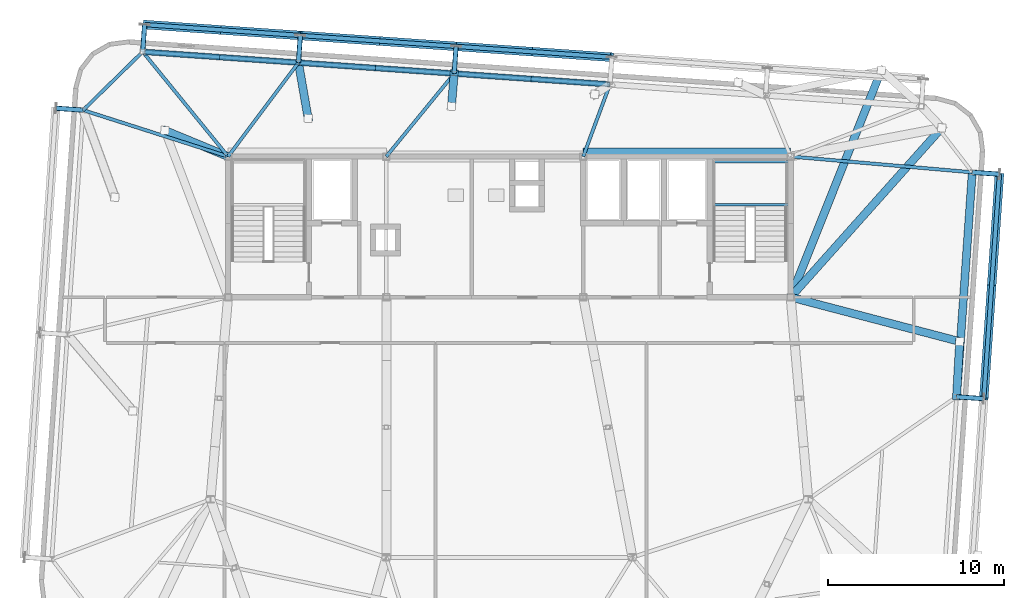
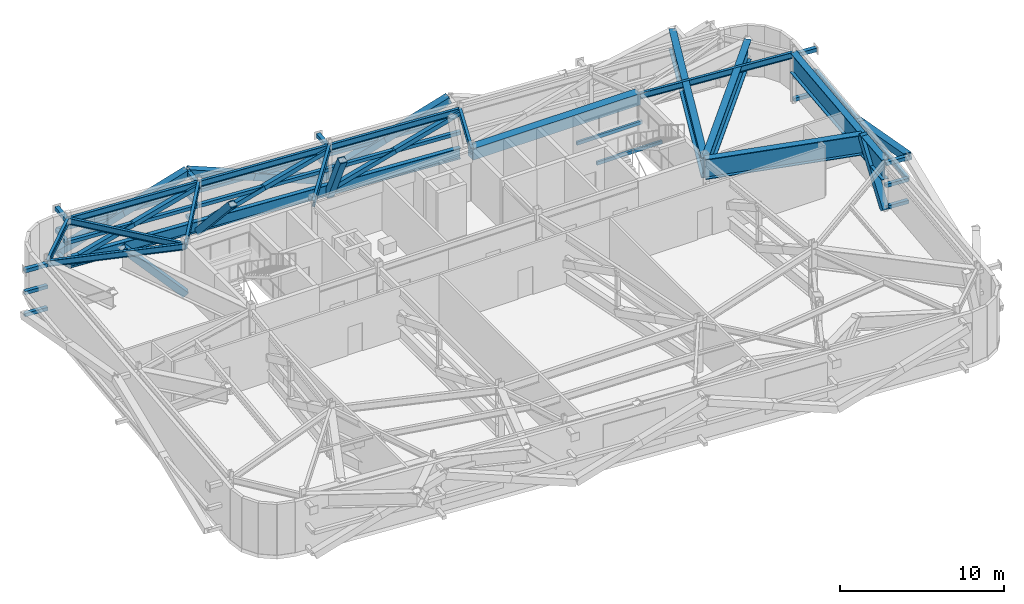
# One storey, part 11 of 24: 46 members, 17 beams.
"""IFC4 building model written with IfcOpenShell, lengths in metres."""

from ifc_helpers import new_model, si_unit, direction, frame, origin, origin_2d, place, context, subcontext, project, spatial, rectangle, hollow_rectangle, i_section, extrude, source, transform, mapped, material, material_profile, profile_set, type_object, element, save


model = new_model("IFC4")

# Units and contexts
model_context = context("Model", 3, precision=1e-05, world=origin(), true_north=direction((0.0, 1.0)))
body_context = subcontext(model_context, "Body", "Model", "MODEL_VIEW")
ifc_project = project(units=[si_unit("LENGTHUNIT", "METRE"), si_unit("AREAUNIT", "SQUARE_METRE"), si_unit("VOLUMEUNIT", "CUBIC_METRE"), si_unit("PLANEANGLEUNIT", "RADIAN"), si_unit("MASSUNIT", "GRAM", prefix="KILO")], contexts=[model_context])

# Site, building, storey
site_placement = place(None, origin())
site = spatial("IfcSite", under=ifc_project, at=site_placement, CompositionType="ELEMENT")
building_placement = place(site_placement, origin())
building = spatial("IfcBuilding", under=site, at=building_placement, Name="Taldren Reach Tower", CompositionType="ELEMENT")
storey_placement = place(building_placement, frame((0.0, 0.0, 164.5)))
storey = spatial("IfcBuildingStorey", under=building, at=storey_placement, Name="L50", CompositionType="ELEMENT", Elevation=164.5)

# Beam
ifc_material_1 = material(Name="Concrete S80 (80 MPa)", Category="concrete")
ifc_material_profile_1 = material_profile(ifc_material_1, rectangle(XDim=0.60009765625, YDim=0.85009765625, at=origin_2d()), Name="RC-CB600x850")
ifc_profile_set_1 = profile_set([ifc_material_profile_1], Name="Concrete S80 (80 MPa)")
beam_type_1 = type_object("IfcBeamType", Name="BM-RCCB850", PredefinedType="BEAM", material=ifc_profile_set_1)
shared_shape_1 = source(origin(), body_context, "Body", "SweptSolid", [
    extrude(rectangle(XDim=0.60009765625, YDim=0.85009765625, at=origin_2d()), origin(), (0.0, 0.0, 1.0), 11.800048828125),
])
beam_1_placement = place(storey_placement, frame((39.199951171875, 32.179931640625, 3.35498046875), z_axis=(1.0, 0.0, 0.0), x_axis=(0.0, 1.0, 0.0)))
element("IfcBeam", 1, at=beam_1_placement, inside=storey, type_object=beam_type_1, Name="Core-spine girder L50-SP06", PredefinedType="BEAM", context=body_context, shape_type="MappedRepresentation", body=[
    mapped(shared_shape_1, transform((0.0, 0.0, 0.0), scale=1.0)),
])

# Members
ifc_material_2 = material(Name="Steel Gr 450 (C450L0)", Category="steel")
ifc_material_profile_2 = material_profile(ifc_material_2, hollow_rectangle(XDim=0.27490234375, YDim=0.27490234375, WallThickness=0.00927734375, at=origin_2d()), Name="275x275x9.3SHS")
ifc_profile_set_2 = profile_set([ifc_material_profile_2], Name="Steel Gr 450 (C450L0)")
member_type_1 = type_object("IfcMemberType", Name="MB-TIE273", PredefinedType="STRUT", material=ifc_profile_set_2)
shared_shape_2 = source(origin(), body_context, "Body", "SweptSolid", [
    extrude(hollow_rectangle(XDim=0.27490234375, YDim=0.27490234375, WallThickness=0.00927734375, at=origin_2d()), origin(), (0.0, 0.0, 1.0), 1.5498046875),
])
for number, where, z_axis, x_axis, name in (
    (2, (14.14453125, 37.958740234375, 3.5), (0.069780535098, 0.997562367434, 0.0), (-0.997562367434, 0.069780535098, 0.0), "Exoskeleton diaphragm tie strut B3-N1 L50"),
    (3, (23.0029296875, 37.33935546875, 3.5), (0.069780535098, 0.997562367434, 0.0), (-0.997562367434, 0.069780535098, 0.0), "Exoskeleton diaphragm tie strut B3-N2 L50"),
    (4, (31.861328125, 36.719970703125, 3.5), (0.069780535098, 0.997562367434, 0.0), (-0.997562367434, 0.069780535098, 0.0), "Exoskeleton diaphragm tie strut B3-N3 L50"),
    (5, (10.754638671875, 34.63720703125, 3.5), (-0.997562367434, 0.069780535098, 0.0), (-0.069780535098, -0.997562367434, 0.0), "Exoskeleton diaphragm tie strut B3-W3 L50"),
    (6, (60.438232421875, 18.331787109375, 3.5), (0.997562367434, -0.069780535098, 0.0), (0.069780535098, 0.997562367434, 0.0), "Exoskeleton diaphragm tie strut B3-E2 L50"),
):
    element("IfcMember", number, at=place(storey_placement, frame(where, z_axis=z_axis, x_axis=x_axis)), inside=storey, type_object=member_type_1, Name=name, PredefinedType="STRUT", context=body_context, shape_type="MappedRepresentation", body=[
        mapped(shared_shape_2, transform((0.0, 0.0, 0.0), scale=1.0)),
    ])
ifc_material_3 = material(Name="Steel Gr 350 (C350L0)", Category="steel")
ifc_material_profile_3 = material_profile(ifc_material_3, hollow_rectangle(XDim=0.25, YDim=0.25, WallThickness=0.010009765625, at=origin_2d()), Name="250x250x10.0SHS")
ifc_profile_set_3 = profile_set([ifc_material_profile_3], Name="Steel Gr 350 (C350L0)")
member_type_2 = type_object("IfcMemberType", Name="MB-POST250", PredefinedType="POST", material=ifc_profile_set_3)
shared_shape_3 = source(origin(), body_context, "Body", "SweptSolid", [
    extrude(hollow_rectangle(XDim=0.25, YDim=0.25, WallThickness=0.010009765625, at=origin_2d()), origin(), (0.0, 0.0, 1.0), 1.5498046875),
])
for number, where, z_axis, x_axis, name in (
    (7, (14.14453125, 37.958740234375, 0.219970703125), (0.069780535098, 0.997562367434, 0.0), (-0.997562367434, 0.069780535098, 0.0), "Exoskeleton base diaphragm tie strut B3-N1 L50"),
    (8, (23.0029296875, 37.33935546875, 0.219970703125), (0.069780535098, 0.997562367434, 0.0), (-0.997562367434, 0.069780535098, 0.0), "Exoskeleton base diaphragm tie strut B3-N2 L50"),
    (9, (31.861328125, 36.719970703125, 0.219970703125), (0.069780535098, 0.997562367434, 0.0), (-0.997562367434, 0.069780535098, 0.0), "Exoskeleton base diaphragm tie strut B3-N3 L50"),
    (10, (10.754638671875, 34.63720703125, 0.219970703125), (-0.997562367434, 0.069780535098, 0.0), (-0.069780535098, -0.997562367434, 0.0), "Exoskeleton base diaphragm tie strut B3-W3 L50"),
    (11, (60.438232421875, 18.331787109375, 0.219970703125), (0.997562367434, -0.069780535098, 0.0), (0.069780535098, 0.997562367434, 0.0), "Exoskeleton base diaphragm tie strut B3-E2 L50"),
    (12, (14.14453125, 37.958740234375, 1.860107421875), (0.069780535098, 0.997562367434, 0.0), (-0.997562367434, 0.069780535098, 0.0), "Exoskeleton mid-tier diaphragm tie B3-N1 L50"),
    (13, (23.0029296875, 37.33935546875, 1.860107421875), (0.069780535098, 0.997562367434, 0.0), (-0.997562367434, 0.069780535098, 0.0), "Exoskeleton mid-tier diaphragm tie B3-N2 L50"),
    (14, (31.861328125, 36.719970703125, 1.860107421875), (0.069780535098, 0.997562367434, 0.0), (-0.997562367434, 0.069780535098, 0.0), "Exoskeleton mid-tier diaphragm tie B3-N3 L50"),
    (15, (10.754638671875, 34.63720703125, 1.860107421875), (-0.997562367434, 0.069780535098, 0.0), (-0.069780535098, -0.997562367434, 0.0), "Exoskeleton mid-tier diaphragm tie B3-W3 L50"),
    (16, (60.438232421875, 18.331787109375, 1.860107421875), (0.997562367434, -0.069780535098, 0.0), (0.069780535098, 0.997562367434, 0.0), "Exoskeleton mid-tier diaphragm tie B3-E2 L50"),
):
    element("IfcMember", number, at=place(storey_placement, frame(where, z_axis=z_axis, x_axis=x_axis)), inside=storey, type_object=member_type_2, Name=name, PredefinedType="POST", context=body_context, shape_type="MappedRepresentation", body=[
        mapped(shared_shape_3, transform((0.0, 0.0, 0.0), scale=1.0)),
    ])
shared_shape_4 = source(origin(), body_context, "Body", "SweptSolid", [
    extrude(hollow_rectangle(XDim=0.27490234375, YDim=0.27490234375, WallThickness=0.00927734375, at=origin_2d()), origin(), (0.0, 0.0, 1.0), 1.550048828125),
])
member_1_placement = place(storey_placement, frame((61.3310546875, 31.1005859375, 3.5), z_axis=(0.99756313426, -0.06976957191, 0.0), x_axis=(0.06976957191, 0.99756313426, 0.0)))
element("IfcMember", 17, at=member_1_placement, inside=storey, type_object=member_type_1, Name="Exoskeleton diaphragm tie strut B3-E3 L50", PredefinedType="STRUT", context=body_context, shape_type="MappedRepresentation", body=[
    mapped(shared_shape_4, transform((0.0, 0.0, 0.0), scale=1.0)),
])
shared_shape_5 = source(origin(), body_context, "Body", "SweptSolid", [
    extrude(hollow_rectangle(XDim=0.25, YDim=0.25, WallThickness=0.010009765625, at=origin_2d()), origin(), (0.0, 0.0, 1.0), 1.550048828125),
])
for number, where, z_axis, x_axis, name in (
    (18, (61.3310546875, 31.1005859375, 0.219970703125), (0.99756313426, -0.06976957191, 0.0), (0.06976957191, 0.99756313426, 0.0), "Exoskeleton base diaphragm tie strut B3-E3 L50"),
    (19, (61.3310546875, 31.1005859375, 1.860107421875), (0.99756313426, -0.06976957191, 0.0), (0.06976957191, 0.99756313426, 0.0), "Exoskeleton mid-tier diaphragm tie B3-E3 L50"),
):
    element("IfcMember", number, at=place(storey_placement, frame(where, z_axis=z_axis, x_axis=x_axis)), inside=storey, type_object=member_type_2, Name=name, PredefinedType="POST", context=body_context, shape_type="MappedRepresentation", body=[
        mapped(shared_shape_5, transform((0.0, 0.0, 0.0), scale=1.0)),
    ])

# Beams
ifc_material_4 = material(Name="Steel Gr 350 (350PLUS)", Category="steel")
ifc_material_profile_4 = material_profile(ifc_material_4, i_section(OverallWidth=0.18994140625, OverallDepth=0.4541015625, WebThickness=0.008544921875, FlangeThickness=0.0126953125, at=origin_2d()), Name="460UB67.1")
ifc_profile_set_4 = profile_set([ifc_material_profile_4], Name="Steel Gr 350 (350PLUS)")
beam_type_2 = type_object("IfcBeamType", Name="SP-UB460B", PredefinedType="SPANDREL", material=ifc_profile_set_4)
shared_shape_6 = source(origin(), body_context, "Body", "SweptSolid", [
    extrude(i_section(OverallWidth=0.18994140625, OverallDepth=0.4541015625, WebThickness=0.008544921875, FlangeThickness=0.0126953125, at=origin_2d()), origin(), (0.0, 0.0, 1.0), 8.880126953125),
])
for number, where, z_axis, x_axis, name in (
    (20, (40.7197265625, 36.100341796875, 3.552978515625), (-0.997562566276, 0.06977769246, 0.0), (-0.06977769246, -0.997562566276, 0.0), "Perimeter spandrel B3 N4-N3 L50"),
    (21, (31.861328125, 36.719970703125, 3.552978515625), (-0.997564479639, 0.069750333063, 0.0), (-0.069750333063, -0.997564479639, 0.0), "Perimeter spandrel B3 N3-N2 L50"),
    (22, (23.0029296875, 37.33935546875, 3.552978515625), (-0.997564479639, 0.069750333063, 0.0), (-0.069750333063, -0.997564479639, 0.0), "Perimeter spandrel B3 N2-N1 L50"),
):
    element("IfcBeam", number, at=place(storey_placement, frame(where, z_axis=z_axis, x_axis=x_axis)), inside=storey, type_object=beam_type_2, Name=name, PredefinedType="SPANDREL", context=body_context, shape_type="MappedRepresentation", body=[
        mapped(shared_shape_6, transform((0.0, 0.0, 0.0), scale=1.0)),
    ])
shared_shape_7 = source(origin(), body_context, "Body", "SweptSolid", [
    extrude(i_section(OverallWidth=0.18994140625, OverallDepth=0.4541015625, WebThickness=0.008544921875, FlangeThickness=0.0126953125, at=origin_2d()), origin(), (0.0, 0.0, 1.0), 4.745849609375),
])
beam_2_placement = place(storey_placement, frame((14.14453125, 37.958740234375, 3.552978515625), z_axis=(-0.714271982806, -0.699868226581, 0.0), x_axis=(0.699868226581, -0.714271982806, 0.0)))
element("IfcBeam", 23, at=beam_2_placement, inside=storey, type_object=beam_type_2, Name="Perimeter spandrel B3 N1-W3 L50", PredefinedType="SPANDREL", context=body_context, shape_type="MappedRepresentation", body=[
    mapped(shared_shape_7, transform((0.0, 0.0, 0.0), scale=1.0)),
])
ifc_material_profile_5 = material_profile(ifc_material_4, i_section(OverallWidth=0.19091796875, OverallDepth=0.4599609375, WebThickness=0.010009765625, FlangeThickness=0.01611328125, at=origin_2d()), Name="460UB82.1")
ifc_profile_set_5 = profile_set([ifc_material_profile_5], Name="Steel Gr 350 (350PLUS)")
beam_type_3 = type_object("IfcBeamType", Name="BM-UB460A", PredefinedType="BEAM", material=ifc_profile_set_5)
shared_shape_8 = source(origin(), body_context, "Body", "SweptSolid", [
    extrude(i_section(OverallWidth=0.19091796875, OverallDepth=0.4599609375, WebThickness=0.010009765625, FlangeThickness=0.01611328125, at=origin_2d()), origin(), (0.0, 0.0, 1.0), 10.3701171875),
])
beam_3_placement = place(storey_placement, frame((51.0, 32.0, 3.550048828125), z_axis=(0.996231748992, -0.086731207186, 0.0), x_axis=(0.086731207186, 0.996231748992, 0.0)))
element("IfcBeam", 24, at=beam_3_placement, inside=storey, type_object=beam_type_3, Name="Primary floor girder B3-E3 L50", PredefinedType="BEAM", context=body_context, shape_type="MappedRepresentation", body=[
    mapped(shared_shape_8, transform((0.0, 0.0, 0.0), scale=1.0)),
])
shared_shape_9 = source(origin(), body_context, "Body", "SweptSolid", [
    extrude(i_section(OverallWidth=0.19091796875, OverallDepth=0.4599609375, WebThickness=0.010009765625, FlangeThickness=0.01611328125, at=origin_2d()), origin(), (0.0, 0.0, 1.0), 4.373046875),
])
beam_4_placement = place(storey_placement, frame((39.199951171875, 32.0, 3.550048828125), z_axis=(0.347541638975, 0.937664550454, 0.0), x_axis=(-0.937664550454, 0.347541638975, 0.0)))
element("IfcBeam", 25, at=beam_4_placement, inside=storey, type_object=beam_type_3, Name="Primary floor girder B3-N4 L50", PredefinedType="BEAM", context=body_context, shape_type="MappedRepresentation", body=[
    mapped(shared_shape_9, transform((0.0, 0.0, 0.0), scale=1.0)),
])
shared_shape_10 = source(origin(), body_context, "Body", "SweptSolid", [
    extrude(i_section(OverallWidth=0.19091796875, OverallDepth=0.4599609375, WebThickness=0.010009765625, FlangeThickness=0.01611328125, at=origin_2d()), origin(), (0.0, 0.0, 1.0), 6.09814453125),
])
beam_5_placement = place(storey_placement, frame((28.0, 32.0, 3.550048828125), z_axis=(0.633192006663, 0.773994756247, 0.0), x_axis=(-0.773994756247, 0.633192006663, 0.0)))
element("IfcBeam", 26, at=beam_5_placement, inside=storey, type_object=beam_type_3, Name="Primary floor girder B3-N3 L50", PredefinedType="BEAM", context=body_context, shape_type="MappedRepresentation", body=[
    mapped(shared_shape_10, transform((0.0, 0.0, 0.0), scale=1.0)),
])
shared_shape_11 = source(origin(), body_context, "Body", "SweptSolid", [
    extrude(i_section(OverallWidth=0.19091796875, OverallDepth=0.4599609375, WebThickness=0.010009765625, FlangeThickness=0.01611328125, at=origin_2d()), origin(), (0.0, 0.0, 1.0), 6.67333984375),
])
beam_6_placement = place(storey_placement, frame((19.0, 32.0, 3.550048828125), z_axis=(0.599847795508, 0.800114130749, 0.0), x_axis=(-0.800114130749, 0.599847795508, 0.0)))
element("IfcBeam", 27, at=beam_6_placement, inside=storey, type_object=beam_type_3, Name="Primary floor girder B3-N2 L50", PredefinedType="BEAM", context=body_context, shape_type="MappedRepresentation", body=[
    mapped(shared_shape_11, transform((0.0, 0.0, 0.0), scale=1.0)),
])
shared_shape_12 = source(origin(), body_context, "Body", "SweptSolid", [
    extrude(i_section(OverallWidth=0.19091796875, OverallDepth=0.4599609375, WebThickness=0.010009765625, FlangeThickness=0.01611328125, at=origin_2d()), origin(), (0.0, 0.0, 1.0), 7.6865234375),
])
beam_7_placement = place(storey_placement, frame((19.0, 32.0, 3.550048828125), z_axis=(-0.631688504871, 0.775222311866, 0.0), x_axis=(-0.775222311866, -0.631688504871, 0.0)))
element("IfcBeam", 28, at=beam_7_placement, inside=storey, type_object=beam_type_3, Name="Primary floor girder B3-N1 L50", PredefinedType="BEAM", context=body_context, shape_type="MappedRepresentation", body=[
    mapped(shared_shape_12, transform((0.0, 0.0, 0.0), scale=1.0)),
])
shared_shape_13 = source(origin(), body_context, "Body", "SweptSolid", [
    extrude(i_section(OverallWidth=0.19091796875, OverallDepth=0.4599609375, WebThickness=0.010009765625, FlangeThickness=0.01611328125, at=origin_2d()), origin(), (0.0, 0.0, 1.0), 8.65673828125),
])
beam_8_placement = place(storey_placement, frame((19.0, 32.0, 3.550048828125), z_axis=(-0.952468016288, 0.304638602195, 0.0), x_axis=(-0.304638602195, -0.952468016288, 0.0)))
element("IfcBeam", 29, at=beam_8_placement, inside=storey, type_object=beam_type_3, Name="Primary floor girder B3-W3 L50", PredefinedType="BEAM", context=body_context, shape_type="MappedRepresentation", body=[
    mapped(shared_shape_13, transform((0.0, 0.0, 0.0), scale=1.0)),
])

# Members
shared_shape_14 = source(origin(), body_context, "Body", "SweptSolid", [
    extrude(hollow_rectangle(XDim=0.25, YDim=0.25, WallThickness=0.010009765625, at=origin_2d()), origin(), (0.0, 0.0, 1.0), 8.880126953125),
])
for number, where, z_axis, x_axis, name in (
    (30, (14.14453125, 37.958740234375, 1.955078125), (0.997564479639, -0.069750333063, 0.0), (0.069750333063, 0.997564479639, 0.0), "Belt Truss Transfer Mid Chord N1 L50"),
    (31, (23.0029296875, 37.33935546875, 1.955078125), (0.997564479639, -0.069750333063, 0.0), (0.069750333063, 0.997564479639, 0.0), "Belt Truss Transfer Mid Chord N2 L50"),
    (32, (31.861328125, 36.719970703125, 1.955078125), (0.997562566276, -0.06977769246, 0.0), (0.06977769246, 0.997562566276, 0.0), "Belt Truss Transfer Mid Chord N3 L50"),
    (33, (14.252685546875, 39.5048828125, 1.860107421875), (0.997564479639, -0.069750333063, 0.0), (0.069750333063, 0.997564479639, 0.0), "Exoskeleton mid-height ring chord B3-N1 L50"),
    (34, (23.111083984375, 38.885498046875, 1.860107421875), (0.997564479639, -0.069750333063, 0.0), (0.069750333063, 0.997564479639, 0.0), "Exoskeleton mid-height ring chord B3-N2 L50"),
    (35, (31.969482421875, 38.26611328125, 1.860107421875), (0.997564479639, -0.069750333063, 0.0), (0.069750333063, 0.997564479639, 0.0), "Exoskeleton mid-height ring chord B3-N3 L50"),
):
    element("IfcMember", number, at=place(storey_placement, frame(where, z_axis=z_axis, x_axis=x_axis)), inside=storey, type_object=member_type_2, Name=name, PredefinedType="POST", context=body_context, shape_type="MappedRepresentation", body=[
        mapped(shared_shape_14, transform((0.0, 0.0, 0.0), scale=1.0)),
    ])
shared_shape_15 = source(origin(), body_context, "Body", "SweptSolid", [
    extrude(hollow_rectangle(XDim=0.25, YDim=0.25, WallThickness=0.010009765625, at=origin_2d()), origin(), (0.0, 0.0, 1.0), 12.800048828125),
])
member_2_placement = place(storey_placement, frame((61.984375, 18.2236328125, 1.860107421875), z_axis=(0.069770857464, 0.997563044348, 0.0), x_axis=(-0.997563044348, 0.069770857464, 0.0)))
element("IfcMember", 36, at=member_2_placement, inside=storey, type_object=member_type_2, Name="Exoskeleton mid-height ring chord B3-E2 L50", PredefinedType="POST", context=body_context, shape_type="MappedRepresentation", body=[
    mapped(shared_shape_15, transform((0.0, 0.0, 0.0), scale=1.0)),
])

# Beam
ifc_material_profile_6 = material_profile(ifc_material_4, i_section(OverallWidth=0.449951171875, OverallDepth=1.5, WebThickness=0.02001953125, FlangeThickness=0.0439453125, at=origin_2d()), Name="1500WB550")
ifc_profile_set_6 = profile_set([ifc_material_profile_6], Name="Steel Gr 350 (350PLUS)")
beam_type_4 = type_object("IfcBeamType", Name="BM-PG1500", PredefinedType="BEAM", material=ifc_profile_set_6)
shared_shape_16 = source(origin(), body_context, "Body", "SweptSolid", [
    extrude(i_section(OverallWidth=0.449951171875, OverallDepth=1.5, WebThickness=0.02001953125, FlangeThickness=0.0439453125, at=origin_2d()), origin(), (0.0, 0.0, 1.0), 12.800048828125),
])
beam_9_placement = place(storey_placement, frame((60.438232421875, 18.331787109375, 3.030029296875), z_axis=(0.069751876777, 0.9975643717, 0.0), x_axis=(-0.9975643717, 0.069751876777, 0.0)))
element("IfcBeam", 37, at=beam_9_placement, inside=storey, type_object=beam_type_4, Name="Belt Truss Transfer Tie Girder TG-B4-E2B on L50", PredefinedType="SPANDREL", context=body_context, shape_type="MappedRepresentation", body=[
    mapped(shared_shape_16, transform((0.0, 0.0, 0.0), scale=1.0)),
])

# Members
ifc_material_profile_7 = material_profile(ifc_material_2, hollow_rectangle(XDim=0.4599609375, YDim=0.4599609375, WallThickness=0.01611328125, at=origin_2d()), Name="460x460x16.0SHS")
ifc_profile_set_7 = profile_set([ifc_material_profile_7], Name="Steel Gr 450 (C450L0)")
member_type_3 = type_object("IfcMemberType", Name="MB-EXO457", PredefinedType="BRACE", material=ifc_profile_set_7)
shared_shape_17 = source(origin(), body_context, "Body", "SweptSolid", [
    extrude(hollow_rectangle(XDim=0.4599609375, YDim=0.4599609375, WallThickness=0.01611328125, at=origin_2d()), origin(), (0.0, 0.0, 1.0), 5.410400390625),
])
member_3_placement = place(storey_placement, frame((19.0, 32.0, 0.02001953125), z_axis=(-0.664692221307, 0.274225025722, 0.694971140553), x_axis=(-0.381377850287, -0.924419242179, 0.0)))
element("IfcMember", 38, at=member_3_placement, inside=storey, type_object=member_type_3, Name="Outrigger Belt Truss Transfer Strut TS-B4-N1 L50", PredefinedType="BRACE", context=body_context, shape_type="MappedRepresentation", body=[
    mapped(shared_shape_17, transform((0.0, 0.0, 0.0), scale=1.0)),
])
shared_shape_18 = source(origin(), body_context, "Body", "SweptSolid", [
    extrude(hollow_rectangle(XDim=0.4599609375, YDim=0.4599609375, WallThickness=0.01611328125, at=origin_2d()), origin(), (0.0, 0.0, 1.0), 4.94970703125),
])
member_4_placement = place(storey_placement, frame((23.0029296875, 37.33935546875, 0.02001953125), z_axis=(0.111569778594, -0.640712389005, 0.759631370521), x_axis=(0.985174994499, 0.171552412437, 0.0)))
element("IfcMember", 39, at=member_4_placement, inside=storey, type_object=member_type_3, Name="Outrigger Belt Truss Transfer Strut TS-B4-N2 L50", PredefinedType="BRACE", context=body_context, shape_type="MappedRepresentation", body=[
    mapped(shared_shape_18, transform((0.0, 0.0, 0.0), scale=1.0)),
])
shared_shape_19 = source(origin(), body_context, "Body", "SweptSolid", [
    extrude(hollow_rectangle(XDim=0.4599609375, YDim=0.4599609375, WallThickness=0.01611328125, at=origin_2d()), origin(), (0.0, 0.0, 1.0), 4.201171875),
])
member_5_placement = place(storey_placement, frame((31.861328125, 36.719970703125, 0.02001953125), z_axis=(-0.036902315856, -0.444513092888, 0.89501191575), x_axis=(0.996571766758, -0.082732784925, 0.0)))
element("IfcMember", 40, at=member_5_placement, inside=storey, type_object=member_type_3, Name="Outrigger Belt Truss Transfer Strut TS-B4-N3 L50", PredefinedType="BRACE", context=body_context, shape_type="MappedRepresentation", body=[
    mapped(shared_shape_19, transform((0.0, 0.0, 0.0), scale=1.0)),
])

# Beam
shared_shape_20 = source(origin(), body_context, "Body", "SweptSolid", [
    extrude(i_section(OverallWidth=0.449951171875, OverallDepth=1.5, WebThickness=0.02001953125, FlangeThickness=0.0439453125, at=origin_2d()), origin(), (0.0, 0.0, 1.0), 13.8994140625),
])
beam_10_placement = place(storey_placement, frame((51.0, 24.0, 3.030029296875), z_axis=(0.371266508292, 0.92852634848, 0.0), x_axis=(-0.92852634848, 0.371266508292, 0.0)))
element("IfcBeam", 41, at=beam_10_placement, inside=storey, type_object=beam_type_4, Name="Belt Truss Transfer Girder TG-B4-N6A on L50", PredefinedType="BEAM", context=body_context, shape_type="MappedRepresentation", body=[
    mapped(shared_shape_20, transform((0.0, 0.0, 0.0), scale=1.0)),
])

# Member
shared_shape_21 = source(origin(), body_context, "Body", "SweptSolid", [
    extrude(hollow_rectangle(XDim=0.4599609375, YDim=0.4599609375, WallThickness=0.01611328125, at=origin_2d()), origin(), (0.0, 0.0, 1.0), 4.904052734375),
])
member_6_placement = place(storey_placement, frame((60.438232421875, 18.331787109375, 0.02001953125), z_axis=(0.036492149482, 0.640927602229, 0.766733416337), x_axis=(-0.998383049963, 0.056844397671, 0.0)))
element("IfcMember", 42, at=member_6_placement, inside=storey, type_object=member_type_3, Name="Outrigger Belt Truss Transfer Strut TS-B4-E2 L50", PredefinedType="BRACE", context=body_context, shape_type="MappedRepresentation", body=[
    mapped(shared_shape_21, transform((0.0, 0.0, 0.0), scale=1.0)),
])

# Beams
shared_shape_22 = source(origin(), body_context, "Body", "SweptSolid", [
    extrude(i_section(OverallWidth=0.449951171875, OverallDepth=1.5, WebThickness=0.02001953125, FlangeThickness=0.0439453125, at=origin_2d()), origin(), (0.0, 0.0, 1.0), 9.943115234375),
])
beam_11_placement = place(storey_placement, frame((51.0, 24.0, 3.030029296875), z_axis=(0.967215285987, -0.253957851923, 0.0), x_axis=(0.253957851923, 0.967215285987, 0.0)))
element("IfcBeam", 43, at=beam_11_placement, inside=storey, type_object=beam_type_4, Name="Belt Truss Transfer Girder TG-B4-E2A on L50", PredefinedType="BEAM", context=body_context, shape_type="MappedRepresentation", body=[
    mapped(shared_shape_22, transform((0.0, 0.0, 0.0), scale=1.0)),
])
shared_shape_23 = source(origin(), body_context, "Body", "SweptSolid", [
    extrude(i_section(OverallWidth=0.449951171875, OverallDepth=1.5, WebThickness=0.02001953125, FlangeThickness=0.0439453125, at=origin_2d()), origin(), (0.0, 0.0, 1.0), 12.910400390625),
])
beam_12_placement = place(storey_placement, frame((51.0, 24.0, 3.030029296875), z_axis=(0.665859048102, 0.746077561693, 0.0), x_axis=(-0.746077561693, 0.665859048102, 0.0)))
element("IfcBeam", 44, at=beam_12_placement, inside=storey, type_object=beam_type_4, Name="Belt Truss Transfer Girder TG-B4-E3A on L50", PredefinedType="BEAM", context=body_context, shape_type="MappedRepresentation", body=[
    mapped(shared_shape_23, transform((0.0, 0.0, 0.0), scale=1.0)),
])

# Members
ifc_material_profile_8 = material_profile(ifc_material_4, i_section(OverallWidth=0.300048828125, OverallDepth=0.81591796875, WebThickness=0.011962890625, FlangeThickness=0.02392578125, at=origin_2d()), Name="800WB192")
ifc_profile_set_8 = profile_set([ifc_material_profile_8], Name="Steel Gr 350 (350PLUS)")
member_type_4 = type_object("IfcMemberType", Name="MB-CH800", PredefinedType="CHORD", material=ifc_profile_set_8)
shared_shape_24 = source(origin(), body_context, "Body", "SweptSolid", [
    extrude(i_section(OverallWidth=0.300048828125, OverallDepth=0.81591796875, WebThickness=0.011962890625, FlangeThickness=0.02392578125, at=origin_2d()), origin(), (0.0, 0.0, 1.0), 8.880126953125),
])
for number, where, z_axis, x_axis, name in (
    (45, (14.14453125, 37.958740234375, 0.449951171875), (0.997564479639, -0.069750333063, 0.0), (0.069750333063, 0.997564479639, 0.0), "Belt Truss Transfer Bottom Chord N1 L50"),
    (46, (23.0029296875, 37.33935546875, 0.449951171875), (0.997564479639, -0.069750333063, 0.0), (0.069750333063, 0.997564479639, 0.0), "Belt Truss Transfer Bottom Chord N2 L50"),
    (47, (31.861328125, 36.719970703125, 0.449951171875), (0.997562566276, -0.06977769246, 0.0), (0.06977769246, 0.997562566276, 0.0), "Belt Truss Transfer Bottom Chord N3 L50"),
):
    element("IfcMember", number, at=place(storey_placement, frame(where, z_axis=z_axis, x_axis=x_axis)), inside=storey, type_object=member_type_4, Name=name, PredefinedType="CHORD", context=body_context, shape_type="MappedRepresentation", body=[
        mapped(shared_shape_24, transform((0.0, 0.0, 0.0), scale=1.0)),
    ])
ifc_material_profile_9 = material_profile(ifc_material_2, hollow_rectangle(XDim=0.324951171875, YDim=0.324951171875, WallThickness=0.0126953125, at=origin_2d()), Name="325x325x12.7SHS")
ifc_profile_set_9 = profile_set([ifc_material_profile_9], Name="Steel Gr 450 (C450L0)")
member_type_5 = type_object("IfcMemberType", Name="MB-BR324", PredefinedType="BRACE", material=ifc_profile_set_9)
shared_shape_25 = source(origin(), body_context, "Body", "SweptSolid", [
    extrude(hollow_rectangle(XDim=0.324951171875, YDim=0.324951171875, WallThickness=0.0126953125, at=origin_2d()), origin(), (0.0, 0.0, 1.0), 4.688232421875),
])
for number, where, z_axis, x_axis, name in (
    (48, (14.14453125, 37.958740234375, 0.449951171875), (0.944755209462, -0.066083913615, 0.321045963308), (0.06977769246, 0.997562566276, 0.0), "Belt Truss Transfer Diagonal N1 L50"),
    (49, (23.0029296875, 37.33935546875, 0.449951171875), (0.944755209462, -0.066083913615, 0.321045963308), (0.06977769246, 0.997562566276, 0.0), "Belt Truss Transfer Diagonal N2 L50"),
    (50, (31.861328125, 36.719970703125, 0.449951171875), (0.944755209462, -0.066083913615, 0.321045963308), (0.06977769246, 0.997562566276, 0.0), "Belt Truss Transfer Diagonal N3 L50"),
    (51, (36.29052734375, 36.41015625, 1.955078125), (0.944771003614, -0.066085018387, 0.320999254011), (0.06977769246, 0.997562566276, 0.0), "Belt Truss Transfer Diagonal N3 L50"),
):
    element("IfcMember", number, at=place(storey_placement, frame(where, z_axis=z_axis, x_axis=x_axis)), inside=storey, type_object=member_type_5, Name=name, PredefinedType="BRACE", context=body_context, shape_type="MappedRepresentation", body=[
        mapped(shared_shape_25, transform((0.0, 0.0, 0.0), scale=1.0)),
    ])
shared_shape_26 = source(origin(), body_context, "Body", "SweptSolid", [
    extrude(hollow_rectangle(XDim=0.324951171875, YDim=0.324951171875, WallThickness=0.0126953125, at=origin_2d()), origin(), (0.0, 0.0, 1.0), 4.68798828125),
])
for number, where, z_axis, x_axis, name in (
    (52, (18.57373046875, 37.64892578125, 1.955078125), (0.944774253753, -0.066033169097, 0.321000358292), (0.069722973508, 0.997566392259, 0.0), "Belt Truss Transfer Diagonal N1 L50"),
    (53, (27.43212890625, 37.029541015625, 1.955078125), (0.944774253753, -0.066033169097, 0.321000358292), (0.069722973508, 0.997566392259, 0.0), "Belt Truss Transfer Diagonal N2 L50"),
):
    element("IfcMember", number, at=place(storey_placement, frame(where, z_axis=z_axis, x_axis=x_axis)), inside=storey, type_object=member_type_5, Name=name, PredefinedType="BRACE", context=body_context, shape_type="MappedRepresentation", body=[
        mapped(shared_shape_26, transform((0.0, 0.0, 0.0), scale=1.0)),
    ])
ifc_material_profile_10 = material_profile(ifc_material_2, hollow_rectangle(XDim=0.510009765625, YDim=0.510009765625, WallThickness=0.02001953125, at=origin_2d()), Name="510x510x20.0SHS")
ifc_profile_set_10 = profile_set([ifc_material_profile_10], Name="Steel Gr 450 (C450L0)")
member_type_6 = type_object("IfcMemberType", Name="MB-EXO508", PredefinedType="BRACE", material=ifc_profile_set_10)
shared_shape_27 = source(origin(), body_context, "Body", "SweptSolid", [
    extrude(hollow_rectangle(XDim=0.510009765625, YDim=0.510009765625, WallThickness=0.02001953125, at=origin_2d()), origin(), (0.0, 0.0, 1.0), 4.733154296875),
])
for number, where, z_axis, x_axis, name in (
    (54, (14.252685546875, 39.5048828125, 0.219970703125), (0.93576211205, -0.065403282884, 0.346513607582), (0.069722973508, 0.997566392259, 0.0), "Exoskeleton Diagrid Brace B3-N1 L50"),
    (55, (18.681884765625, 39.1953125, 1.860107421875), (0.935775678065, -0.065455811678, 0.346467050467), (0.06977769246, 0.997562566276, 0.0), "Exoskeleton Diagrid Brace B3-N1 L50"),
    (56, (31.969482421875, 38.26611328125, 0.219970703125), (-0.935758954034, 0.065454641862, 0.346512438166), (-0.06977769246, -0.997562566276, 0.0), "Exoskeleton Diagrid Brace B3-N2 L50"),
    (57, (27.540283203125, 38.575927734375, 1.860107421875), (-0.935778836251, 0.06540445179, 0.346468219772), (-0.069722973508, -0.997566392259, 0.0), "Exoskeleton Diagrid Brace B3-N2 L50"),
    (58, (31.969482421875, 38.26611328125, 0.219970703125), (0.935758954034, -0.065454641862, 0.346512438166), (0.06977769246, 0.997562566276, 0.0), "Exoskeleton Diagrid Brace B3-N3 L50"),
    (59, (36.398681640625, 37.956298828125, 1.860107421875), (0.935778836251, -0.06540445179, 0.346468219772), (0.069722973508, 0.997566392259, 0.0), "Exoskeleton Diagrid Brace B3-N3 L50"),
):
    element("IfcMember", number, at=place(storey_placement, frame(where, z_axis=z_axis, x_axis=x_axis)), inside=storey, type_object=member_type_6, Name=name, PredefinedType="BRACE", context=body_context, shape_type="MappedRepresentation", body=[
        mapped(shared_shape_27, transform((0.0, 0.0, 0.0), scale=1.0)),
    ])
shared_shape_28 = source(origin(), body_context, "Body", "SweptSolid", [
    extrude(hollow_rectangle(XDim=0.510009765625, YDim=0.510009765625, WallThickness=0.02001953125, at=origin_2d()), origin(), (0.0, 0.0, 1.0), 6.60693359375),
])
member_7_placement = place(storey_placement, frame((62.87744140625, 30.992431640625, 0.219970703125), z_axis=(-0.067585557133, -0.966336743901, 0.248244818383), x_axis=(0.997563137195, -0.069769529958, 0.0)))
element("IfcMember", 60, at=member_7_placement, inside=storey, type_object=member_type_6, Name="Exoskeleton Diagrid Brace B3-E2 L50", PredefinedType="BRACE", context=body_context, shape_type="MappedRepresentation", body=[
    mapped(shared_shape_28, transform((0.0, 0.0, 0.0), scale=1.0)),
])
shared_shape_29 = source(origin(), body_context, "Body", "SweptSolid", [
    extrude(hollow_rectangle(XDim=0.510009765625, YDim=0.510009765625, WallThickness=0.02001953125, at=origin_2d()), origin(), (0.0, 0.0, 1.0), 6.606689453125),
])
member_8_placement = place(storey_placement, frame((62.430908203125, 24.60791015625, 1.860107421875), z_axis=(-0.067588590583, -0.966343162246, 0.248219006532), x_axis=(0.997562951496, -0.069772185021, 0.0)))
element("IfcMember", 61, at=member_8_placement, inside=storey, type_object=member_type_6, Name="Exoskeleton Diagrid Brace B3-E2 L50", PredefinedType="BRACE", context=body_context, shape_type="MappedRepresentation", body=[
    mapped(shared_shape_29, transform((0.0, 0.0, 0.0), scale=1.0)),
])

# Beams
ifc_material_profile_11 = material_profile(ifc_material_3, hollow_rectangle(XDim=0.14990234375, YDim=0.25, WallThickness=0.009033203125, at=origin_2d()), Name="250x150x9.0RHS")
ifc_profile_set_11 = profile_set([ifc_material_profile_11], Name="Steel Gr 350 (C350L0)")
beam_type_5 = type_object("IfcBeamType", Name="LN-RHS250", PredefinedType="LINTEL", material=ifc_profile_set_11)
shared_shape_30 = source(origin(), body_context, "Body", "SweptSolid", [
    extrude(hollow_rectangle(XDim=0.14990234375, YDim=0.25, WallThickness=0.009033203125, at=origin_2d()), origin(), (0.0, 0.0, 1.0), 4.60009765625),
])
for number, where, z_axis, x_axis, name in (
    (62, (46.39990234375, 29.2548828125, 1.794921875), (1.0, 0.0, 0.0), (0.0, 1.0, 0.0), "Stair half-landing support beam ST2-L50-1"),
    (63, (46.39990234375, 31.699951171875, 1.794921875), (1.0, 0.0, 0.0), (0.0, 1.0, 0.0), "Stair half-landing support beam ST2-L50-2"),
):
    element("IfcBeam", number, at=place(storey_placement, frame(where, z_axis=z_axis, x_axis=x_axis)), inside=storey, type_object=beam_type_5, Name=name, PredefinedType="LINTEL", context=body_context, shape_type="MappedRepresentation", body=[
        mapped(shared_shape_30, transform((0.0, 0.0, 0.0), scale=1.0)),
    ])

save(model, "model.ifc")
